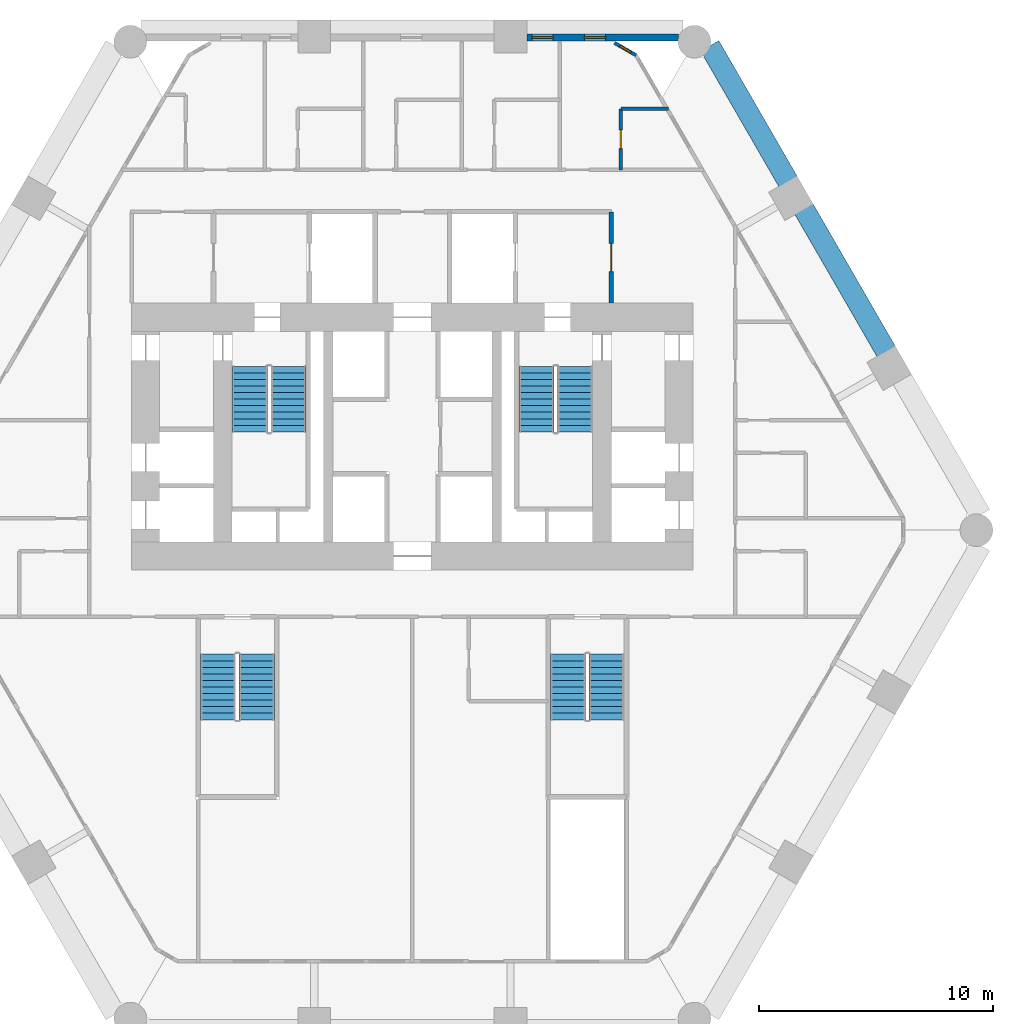
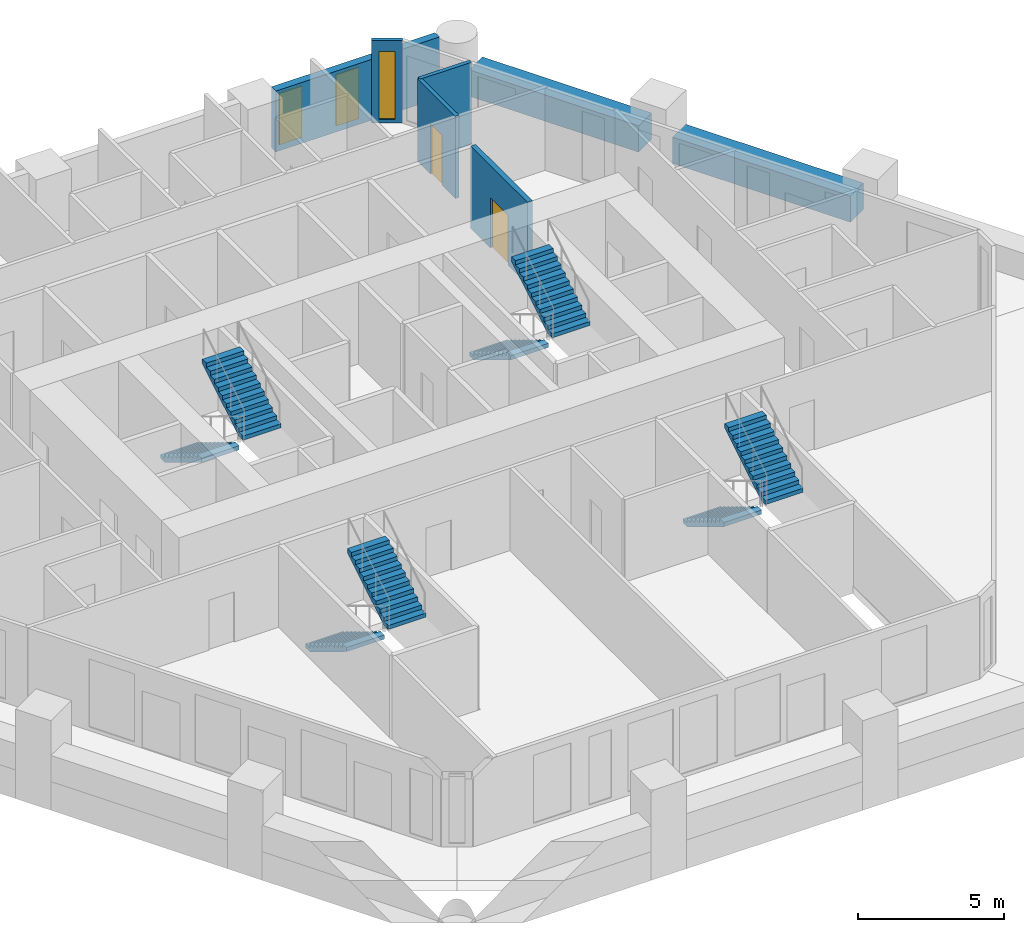
# One storey, part 7 of 8: 8 stair flights, 7 walls, 3 windows, 2 doors, 5 openings, 4 elements without a shape of their own.
"""IFC4 building model written with IfcOpenShell, lengths in metres."""

from ifc_helpers import new_model, si_unit, direction, frame, frame_2d, origin, place, context, subcontext, project, spatial, polyline, rectangle, outline, extrude, material, layer, layer_set, type_object, element, fill, aggregate, save


model = new_model("IFC4")

# Units and contexts
model_context = context("Model", 3, precision=1e-05, world=origin(), true_north=direction((0.0, 1.0)))
body_context = subcontext(model_context, "Body", "Model", "MODEL_VIEW")
ifc_project = project(units=[si_unit("LENGTHUNIT", "METRE"), si_unit("AREAUNIT", "SQUARE_METRE"), si_unit("VOLUMEUNIT", "CUBIC_METRE"), si_unit("PLANEANGLEUNIT", "RADIAN"), si_unit("MASSUNIT", "GRAM", prefix="KILO")], contexts=[model_context])

# Site, building, storey
site_placement = place(None, origin())
site = spatial("IfcSite", under=ifc_project, at=site_placement, CompositionType="ELEMENT")
building_placement = place(site_placement, origin())
building = spatial("IfcBuilding", under=site, at=building_placement, Name="Ostrander Bayou Hotel Tower", CompositionType="ELEMENT")
storey_placement = place(building_placement, frame((0.0, 0.0, 28.0)))
storey = spatial("IfcBuildingStorey", under=building, at=storey_placement, Name="L06", CompositionType="ELEMENT", Elevation=28.0)

# Wall, opening, window
ifc_material_1 = material(Name="Aluminium framed insulated wall", Category="aluminium")
ifc_layer_1 = layer(ifc_material_1, 0.14990234375)
ifc_layer_set_1 = layer_set([ifc_layer_1], Name="GW1 glass-line wall 150 mm")
wall_type_1 = type_object("IfcWallType", Name="GW1 glass-line wall 150 mm", PredefinedType="SOLIDWALL", material=ifc_layer_set_1)
wall_1_placement = place(storey_placement, frame((9.5595703125, 20.29248046875, 0.0), z_axis=(0.0, 0.0, 1.0), x_axis=(-0.866048165231, 0.499960573946, 0.0)))
wall_1 = element("IfcWall", 1, at=wall_1_placement, inside=storey, type_object=wall_type_1, Name="GW1 L06 corner 6", PredefinedType="SOLIDWALL", context=body_context, shape_type="SweptSolid", body=[
    extrude(rectangle(XDim=1.06494140625, YDim=0.14990234375, at=frame_2d((0.532470703125, 0.0))), origin(), (0.0, 0.0, 1.0), 3.449951171875),
])
opening_1_placement = place(wall_1_placement, frame((0.257568359375, 0.0, 0.14990234375)))
opening_1 = element("IfcOpeningElement", 2, at=opening_1_placement, cuts=wall_1, Name="Opening W19", PredefinedType="OPENING", context=body_context, shape_type="SweptSolid", body=[
    extrude(rectangle(XDim=0.550048828125, YDim=2.85009765625, at=frame_2d((0.27490234375, 1.425048828125))), frame((0.0, 0.074951171875, 0.0), z_axis=(0.0, -1.0, 0.0), x_axis=(1.0, 0.0, 0.0)), (0.0, 0.0, 1.0), 0.14990234375),
])
ifc_material_2 = material(Name="Aluminium and clear glass", Category="aluminium")
window_type_1 = type_object("IfcWindowType", Name="W19 corner window 550 mm", PartitioningType="SINGLE_PANEL", PredefinedType="WINDOW", material=ifc_material_2)
window_1_placement = place(opening_1_placement, origin())
window_1 = element("IfcWindow", 3, at=window_1_placement, inside=storey, type_object=window_type_1, Name="W19 L06 corner 6", OverallHeight=2.85009765625, OverallWidth=0.550048828125, PartitioningType="SINGLE_PANEL", PredefinedType="WINDOW", context=body_context, shape_type="SweptSolid", body=[
    extrude(rectangle(XDim=0.550048828125, YDim=2.85009765625, at=frame_2d((0.27490234375, 1.425048828125))), frame((0.0, 0.030029296875, 0.0), z_axis=(0.0, -1.0, 0.0), x_axis=(1.0, 0.0, 0.0)), (0.0, 0.0, 1.0), 0.06005859375),
])
fill(opening_1, window_1)

# Wall, openings, windows
ifc_material_3 = material(Name="Reconstituted stone on masonry backing", Category="masonry")
ifc_layer_2 = layer(ifc_material_3, 0.300048828125)
ifc_layer_set_2 = layer_set([ifc_layer_2], Name="NW1 north stone wall 300 mm")
wall_type_2 = type_object("IfcWallType", Name="NW1 north stone wall 300 mm", PredefinedType="SOLIDWALL", material=ifc_layer_set_2)
wall_2_placement = place(storey_placement, frame((11.376708984375, 21.050048828125, 0.0), z_axis=(0.0, 0.0, 1.0), x_axis=(-1.0, 0.0, 0.0)))
wall_2 = element("IfcWall", 4, at=wall_2_placement, inside=storey, type_object=wall_type_2, Name="NW1 L06 N-1", PredefinedType="SOLIDWALL", context=body_context, shape_type="SweptSolid", body=[
    extrude(rectangle(XDim=6.481201171875, YDim=0.300048828125, at=frame_2d((3.24072265625, 0.0))), origin(), (0.0, 0.0, 1.0), 2.550048828125),
])
opening_2_placement = place(wall_2_placement, frame((3.123779296875, 0.0, 0.14990234375)))
opening_2 = element("IfcOpeningElement", 5, at=opening_2_placement, cuts=wall_2, Name="Opening W15", PredefinedType="OPENING", context=body_context, shape_type="SweptSolid", body=[
    extrude(rectangle(XDim=0.89990234375, YDim=2.14990234375, at=frame_2d((0.449951171875, 1.074951171875))), frame((0.0, 0.14990234375, 0.0), z_axis=(0.0, -1.0, 0.0), x_axis=(1.0, 0.0, 0.0)), (0.0, 0.0, 1.0), 0.300048828125),
])
opening_3_placement = place(wall_2_placement, frame((5.376708984375, 0.0, 0.14990234375)))
opening_3 = element("IfcOpeningElement", 6, at=opening_3_placement, cuts=wall_2, Name="Opening W15", PredefinedType="OPENING", context=body_context, shape_type="SweptSolid", body=[
    extrude(rectangle(XDim=0.89990234375, YDim=2.14990234375, at=frame_2d((0.449951171875, 1.074951171875))), frame((0.0, 0.14990234375, 0.0), z_axis=(0.0, -1.0, 0.0), x_axis=(1.0, 0.0, 0.0)), (0.0, 0.0, 1.0), 0.300048828125),
])
ifc_material_4 = material(Name="Aluminium and clear glass", Category="aluminium")
window_type_2 = type_object("IfcWindowType", Name="W15 window 900 mm, zone 1", PartitioningType="SINGLE_PANEL", PredefinedType="WINDOW", material=ifc_material_4)
window_2_placement = place(opening_2_placement, origin())
window_2 = element("IfcWindow", 7, at=window_2_placement, inside=storey, type_object=window_type_2, Name="W15 L06 north N-1", OverallHeight=2.14990234375, OverallWidth=0.89990234375, PartitioningType="SINGLE_PANEL", PredefinedType="WINDOW", context=body_context, shape_type="SweptSolid", body=[
    extrude(rectangle(XDim=0.89990234375, YDim=2.14990234375, at=frame_2d((0.449951171875, 1.074951171875))), frame((0.0, 0.030029296875, 0.0), z_axis=(0.0, -1.0, 0.0), x_axis=(1.0, 0.0, 0.0)), (0.0, 0.0, 1.0), 0.06005859375),
])
fill(opening_2, window_2)
window_3_placement = place(opening_3_placement, origin())
window_3 = element("IfcWindow", 8, at=window_3_placement, inside=storey, type_object=window_type_2, Name="W15 L06 north N-1-2", OverallHeight=2.14990234375, OverallWidth=0.89990234375, PartitioningType="SINGLE_PANEL", PredefinedType="WINDOW", context=body_context, shape_type="SweptSolid", body=[
    extrude(rectangle(XDim=0.89990234375, YDim=2.14990234375, at=frame_2d((0.449951171875, 1.074951171875))), frame((0.0, 0.030029296875, 0.0), z_axis=(0.0, -1.0, 0.0), x_axis=(1.0, 0.0, 0.0)), (0.0, 0.0, 1.0), 0.06005859375),
])
fill(opening_3, window_3)

# Walls
ifc_material_5 = material(Name="Concrete f'c 40 MPa", Category="concrete")
ifc_layer_3 = layer(ifc_material_5, 0.89990234375)
ifc_layer_set_3 = layer_set([ifc_layer_3], Name="PA1 stone-faced parapet 900 mm")
wall_type_3 = type_object("IfcWallType", Name="PA1 stone-faced parapet 900 mm", PredefinedType="PARAPET", material=ifc_layer_set_3)
wall_3_placement = place(storey_placement, frame((20.252197265625, 7.621826171875, 0.0), z_axis=(0.0, 0.0, 1.0), x_axis=(-0.499997206141, 0.866027016814, 0.0)))
element("IfcWall", 9, at=wall_3_placement, inside=storey, type_object=wall_type_3, Name="PA1 L06 NE-2", PredefinedType="PARAPET", context=body_context, shape_type="SweptSolid", body=[
    extrude(rectangle(XDim=7.05078125, YDim=0.89990234375, at=frame_2d((3.525390625, 0.0))), origin(), (0.0, 0.0, 1.0), 1.10009765625),
])
wall_4_placement = place(storey_placement, frame((16.056884765625, 14.888671875, 0.0), z_axis=(0.0, 0.0, 1.0), x_axis=(-0.500005133765, 0.866022439784, 0.0)))
element("IfcWall", 10, at=wall_4_placement, inside=storey, type_object=wall_type_3, Name="PA1 L06 NE-3", PredefinedType="PARAPET", context=body_context, shape_type="SweptSolid", body=[
    extrude(rectangle(XDim=6.70361328125, YDim=0.89990234375, at=frame_2d((3.351806640625, 0.0))), origin(), (0.0, 0.0, 1.0), 1.10009765625),
])

# Wall, opening, door
ifc_material_6 = material(Name="Masonry block", Category="masonry")
ifc_layer_4 = layer(ifc_material_6, 0.199951171875)
ifc_layer_set_4 = layer_set([ifc_layer_4], Name="PT5 stair enclosure wall 200 mm masonry, 2 hour")
wall_type_4 = type_object("IfcWallType", Name="PT5 stair enclosure wall 200 mm masonry, 2 hour", PredefinedType="PARTITIONING", material=ifc_layer_set_4)
wall_5_placement = place(storey_placement, frame((8.5, 9.699951171875, 0.0), z_axis=(0.0, 0.0, 1.0), x_axis=(0.0, 1.0, 0.0)))
wall_5 = element("IfcWall", 11, at=wall_5_placement, inside=storey, type_object=wall_type_4, Name="cs:L06:027", PredefinedType="PARTITIONING", context=body_context, shape_type="SweptSolid", body=[
    extrude(rectangle(XDim=3.900146484375, YDim=0.199951171875, at=frame_2d((1.9501953125, 0.0))), origin(), (0.0, 0.0, 1.0), 3.449951171875),
])
opening_4_placement = place(wall_5_placement, frame((1.35009765625, 0.0, 0.0)))
opening_4 = element("IfcOpeningElement", 12, at=opening_4_placement, cuts=wall_5, Name="Opening T06-012", PredefinedType="OPENING", context=body_context, shape_type="SweptSolid", body=[
    extrude(rectangle(XDim=1.199951171875, YDim=2.10009765625, at=frame_2d((0.60009765625, 1.050048828125))), frame((0.0, 0.10009765625, 0.0), z_axis=(0.0, -1.0, 0.0), x_axis=(1.0, 0.0, 0.0)), (0.0, 0.0, 1.0), 0.199951171875),
])
ifc_material_7 = material(Name="Timber door leaf", Category="wood")
door_type_1 = type_object("IfcDoorType", Name="D7 lobby door 1200 x 2100 mm, 1 hour", OperationType="SINGLE_SWING_LEFT", PredefinedType="DOOR", material=ifc_material_7)
door_1_placement = place(opening_4_placement, origin())
door_1 = element("IfcDoor", 13, at=door_1_placement, inside=storey, type_object=door_type_1, Name="dr:L06:012", OperationType="SINGLE_SWING_LEFT", OverallHeight=2.10009765625, OverallWidth=1.199951171875, PredefinedType="DOOR", context=body_context, shape_type="SweptSolid", body=[
    extrude(rectangle(XDim=1.199951171875, YDim=2.10009765625, at=frame_2d((0.60009765625, 1.050048828125))), frame((0.0, 0.02490234375, 0.0), z_axis=(0.0, -1.0, 0.0), x_axis=(1.0, 0.0, 0.0)), (0.0, 0.0, 1.0), 0.050048828125),
])
fill(opening_4, door_1)

# Wall
ifc_material_8 = material(Name="Gypsum board partition", Category="finish")
ifc_layer_5 = layer(ifc_material_8, 0.14990234375)
ifc_layer_set_5 = layer_set([ifc_layer_5], Name="PT8 service band wall 150 mm, 1 hour")
wall_type_5 = type_object("IfcWallType", Name="PT8 service band wall 150 mm, 1 hour", PredefinedType="PARTITIONING", material=ifc_layer_set_5)
wall_6_placement = place(storey_placement, frame((8.905029296875, 18.0, 0.0), z_axis=(0.0, 0.0, 1.0), x_axis=(1.0, 0.0, 0.0)))
element("IfcWall", 14, at=wall_6_placement, inside=storey, type_object=wall_type_5, Name="gw:L06:016", PredefinedType="PARTITIONING", context=body_context, shape_type="SweptSolid", body=[
    extrude(rectangle(XDim=2.030029296875, YDim=0.14990234375, at=frame_2d((1.01513671875, 0.0))), origin(), (0.0, 0.0, 1.0), 3.449951171875),
])

# Wall, opening, door
wall_7_placement = place(storey_placement, frame((8.905029296875, 15.39990234375, 0.0), z_axis=(0.0, 0.0, 1.0), x_axis=(0.0, 1.0, 0.0)))
wall_7 = element("IfcWall", 15, at=wall_7_placement, inside=storey, type_object=wall_type_5, Name="gw:L06:024", PredefinedType="PARTITIONING", context=body_context, shape_type="SweptSolid", body=[
    extrude(rectangle(XDim=2.60009765625, YDim=0.14990234375, at=frame_2d((1.300048828125, 0.0))), origin(), (0.0, 0.0, 1.0), 3.449951171875),
])
opening_5_placement = place(wall_7_placement, frame((0.89990234375, 0.0, 0.0)))
opening_5 = element("IfcOpeningElement", 16, at=opening_5_placement, cuts=wall_7, Name="Opening T06-424", PredefinedType="OPENING", context=body_context, shape_type="SweptSolid", body=[
    extrude(rectangle(XDim=0.800048828125, YDim=2.10009765625, at=frame_2d((0.39990234375, 1.050048828125))), frame((0.0, 0.074951171875, 0.0), z_axis=(0.0, -1.0, 0.0), x_axis=(1.0, 0.0, 0.0)), (0.0, 0.0, 1.0), 0.14990234375),
])
ifc_material_9 = material(Name="Timber door leaf", Category="wood")
door_type_2 = type_object("IfcDoorType", Name="D2 bathroom door 800 x 2100 mm", OperationType="SINGLE_SWING_LEFT", PredefinedType="DOOR", material=ifc_material_9)
door_2_placement = place(opening_5_placement, origin())
door_2 = element("IfcDoor", 17, at=door_2_placement, inside=storey, type_object=door_type_2, Name="dr:L06:424", OperationType="SINGLE_SWING_LEFT", OverallHeight=2.10009765625, OverallWidth=0.800048828125, PredefinedType="DOOR", context=body_context, shape_type="SweptSolid", body=[
    extrude(rectangle(XDim=0.800048828125, YDim=2.10009765625, at=frame_2d((0.39990234375, 1.050048828125))), frame((0.0, 0.02490234375, 0.0), z_axis=(0.0, -1.0, 0.0), x_axis=(1.0, 0.0, 0.0)), (0.0, 0.0, 1.0), 0.050048828125),
])
fill(opening_5, door_2)

# Stair, stair flights
ifc_material_10 = material(Name="Concrete f'c 45 MPa", Category="concrete")
stair_type = type_object("IfcStairType", Name="ST1 exit stair 1500 mm f'c 45 MPa", PredefinedType="HALF_TURN_STAIR", material=ifc_material_10)
stair_1_placement = place(storey_placement, origin())
stair_1 = element("IfcStair", 18, at=stair_1_placement, inside=storey, type_object=stair_type, Name="L06 exit stair A", PredefinedType="HALF_TURN_STAIR")
ifc_material_11 = material(Name="Concrete f'c 45 MPa", Category="concrete")
stair_flight_type = type_object("IfcStairFlightType", Name="SF1 stair flight 1500 mm f'c 45 MPa", PredefinedType="STRAIGHT", material=ifc_material_11)
stair_flight_1_placement = place(storey_placement, frame((-6.949951171875, 7.0, 0.0), z_axis=(0.0, 0.0, 1.0), x_axis=(0.0, -1.0, 0.0)))
stair_flight_1 = element("IfcStairFlight", 19, at=stair_flight_1_placement, type_object=stair_flight_type, Name="STA flight 1", NumberOfRisers=11, NumberOfTreads=10, PredefinedType="STRAIGHT", RiserHeight=0.170454545, TreadLength=0.28, context=body_context, shape_type="SweptSolid", body=[
    extrude(outline(polyline([(0.0, 0.0), (0.0, 0.17041015625), (0.280029296875, 0.17041015625), (0.280029296875, 0.3408203125), (0.56005859375, 0.3408203125), (0.56005859375, 0.511474609375), (0.840087890625, 0.511474609375), (0.840087890625, 0.681884765625), (1.1201171875, 0.681884765625), (1.1201171875, 0.852294921875), (1.39990234375, 0.852294921875), (1.39990234375, 1.022705078125), (1.679931640625, 1.022705078125), (1.679931640625, 1.193115234375), (1.9599609375, 1.193115234375), (1.9599609375, 1.363525390625), (2.239990234375, 1.363525390625), (2.239990234375, 1.5341796875), (2.52001953125, 1.5341796875), (2.52001953125, 1.70458984375), (2.800048828125, 1.70458984375), (2.800048828125, 1.875), (2.800048828125, 1.529052734375), (0.288330078125, 0.0), (0.0, 0.0)])), frame((0.0, 0.75, 0.0), z_axis=(0.0, -1.0, 0.0), x_axis=(1.0, 0.0, 0.0)), (0.0, 0.0, 1.0), 1.5),
])
stair_flight_2_placement = place(storey_placement, frame((-5.300048828125, 4.199951171875, 1.875), z_axis=(0.0, 0.0, 1.0), x_axis=(0.0, 1.0, 0.0)))
stair_flight_2 = element("IfcStairFlight", 20, at=stair_flight_2_placement, type_object=stair_flight_type, Name="STA flight 2", NumberOfRisers=11, NumberOfTreads=10, PredefinedType="STRAIGHT", RiserHeight=0.170454545, TreadLength=0.28, context=body_context, shape_type="SweptSolid", body=[
    extrude(outline(polyline([(0.0, 0.0), (0.0, 0.17041015625), (0.280029296875, 0.17041015625), (0.280029296875, 0.3408203125), (0.56005859375, 0.3408203125), (0.56005859375, 0.511474609375), (0.840087890625, 0.511474609375), (0.840087890625, 0.681884765625), (1.1201171875, 0.681884765625), (1.1201171875, 0.852294921875), (1.39990234375, 0.852294921875), (1.39990234375, 1.022705078125), (1.679931640625, 1.022705078125), (1.679931640625, 1.193115234375), (1.9599609375, 1.193115234375), (1.9599609375, 1.363525390625), (2.239990234375, 1.363525390625), (2.239990234375, 1.5341796875), (2.52001953125, 1.5341796875), (2.52001953125, 1.70458984375), (2.800048828125, 1.70458984375), (2.800048828125, 1.875), (2.800048828125, 1.529052734375), (0.288330078125, 0.0), (0.0, 0.0)])), frame((0.0, 0.75, 0.0), z_axis=(0.0, -1.0, 0.0), x_axis=(1.0, 0.0, 0.0)), (0.0, 0.0, 1.0), 1.5),
])
aggregate(stair_1, [stair_flight_1, stair_flight_2])

stair_2_placement = place(storey_placement, origin())
stair_2 = element("IfcStair", 21, at=stair_2_placement, inside=storey, type_object=stair_type, Name="L06 exit stair B", PredefinedType="HALF_TURN_STAIR")
stair_flight_3_placement = place(storey_placement, frame((5.300048828125, 7.0, 0.0), z_axis=(0.0, 0.0, 1.0), x_axis=(0.0, -1.0, 0.0)))
stair_flight_3 = element("IfcStairFlight", 22, at=stair_flight_3_placement, type_object=stair_flight_type, Name="STB flight 1", NumberOfRisers=11, NumberOfTreads=10, PredefinedType="STRAIGHT", RiserHeight=0.170454545, TreadLength=0.28, context=body_context, shape_type="SweptSolid", body=[
    extrude(outline(polyline([(0.0, 0.0), (0.0, 0.17041015625), (0.280029296875, 0.17041015625), (0.280029296875, 0.3408203125), (0.56005859375, 0.3408203125), (0.56005859375, 0.511474609375), (0.840087890625, 0.511474609375), (0.840087890625, 0.681884765625), (1.1201171875, 0.681884765625), (1.1201171875, 0.852294921875), (1.39990234375, 0.852294921875), (1.39990234375, 1.022705078125), (1.679931640625, 1.022705078125), (1.679931640625, 1.193115234375), (1.9599609375, 1.193115234375), (1.9599609375, 1.363525390625), (2.239990234375, 1.363525390625), (2.239990234375, 1.5341796875), (2.52001953125, 1.5341796875), (2.52001953125, 1.70458984375), (2.800048828125, 1.70458984375), (2.800048828125, 1.875), (2.800048828125, 1.529052734375), (0.288330078125, 0.0), (0.0, 0.0)])), frame((0.0, 0.75, 0.0), z_axis=(0.0, -1.0, 0.0), x_axis=(1.0, 0.0, 0.0)), (0.0, 0.0, 1.0), 1.5),
])
stair_flight_4_placement = place(storey_placement, frame((6.949951171875, 4.199951171875, 1.875), z_axis=(0.0, 0.0, 1.0), x_axis=(0.0, 1.0, 0.0)))
stair_flight_4 = element("IfcStairFlight", 23, at=stair_flight_4_placement, type_object=stair_flight_type, Name="STB flight 2", NumberOfRisers=11, NumberOfTreads=10, PredefinedType="STRAIGHT", RiserHeight=0.170454545, TreadLength=0.28, context=body_context, shape_type="SweptSolid", body=[
    extrude(outline(polyline([(0.0, 0.0), (0.0, 0.17041015625), (0.280029296875, 0.17041015625), (0.280029296875, 0.3408203125), (0.56005859375, 0.3408203125), (0.56005859375, 0.511474609375), (0.840087890625, 0.511474609375), (0.840087890625, 0.681884765625), (1.1201171875, 0.681884765625), (1.1201171875, 0.852294921875), (1.39990234375, 0.852294921875), (1.39990234375, 1.022705078125), (1.679931640625, 1.022705078125), (1.679931640625, 1.193115234375), (1.9599609375, 1.193115234375), (1.9599609375, 1.363525390625), (2.239990234375, 1.363525390625), (2.239990234375, 1.5341796875), (2.52001953125, 1.5341796875), (2.52001953125, 1.70458984375), (2.800048828125, 1.70458984375), (2.800048828125, 1.875), (2.800048828125, 1.529052734375), (0.288330078125, 0.0), (0.0, 0.0)])), frame((0.0, 0.75, 0.0), z_axis=(0.0, -1.0, 0.0), x_axis=(1.0, 0.0, 0.0)), (0.0, 0.0, 1.0), 1.5),
])
aggregate(stair_2, [stair_flight_3, stair_flight_4])

stair_3_placement = place(storey_placement, origin())
stair_3 = element("IfcStair", 24, at=stair_3_placement, inside=storey, type_object=stair_type, Name="L06 exit stair C", PredefinedType="HALF_TURN_STAIR")
stair_flight_5_placement = place(storey_placement, frame((6.64990234375, -5.300048828125, 0.0), z_axis=(0.0, 0.0, 1.0), x_axis=(0.0, -1.0, 0.0)))
stair_flight_5 = element("IfcStairFlight", 25, at=stair_flight_5_placement, type_object=stair_flight_type, Name="STC flight 1", NumberOfRisers=11, NumberOfTreads=10, PredefinedType="STRAIGHT", RiserHeight=0.170454545, TreadLength=0.28, context=body_context, shape_type="SweptSolid", body=[
    extrude(outline(polyline([(0.0, 0.0), (0.0, 0.17041015625), (0.280029296875, 0.17041015625), (0.280029296875, 0.3408203125), (0.56005859375, 0.3408203125), (0.56005859375, 0.511474609375), (0.840087890625, 0.511474609375), (0.840087890625, 0.681884765625), (1.1201171875, 0.681884765625), (1.1201171875, 0.852294921875), (1.39990234375, 0.852294921875), (1.39990234375, 1.022705078125), (1.679931640625, 1.022705078125), (1.679931640625, 1.193115234375), (1.9599609375, 1.193115234375), (1.9599609375, 1.363525390625), (2.239990234375, 1.363525390625), (2.239990234375, 1.5341796875), (2.52001953125, 1.5341796875), (2.52001953125, 1.70458984375), (2.800048828125, 1.70458984375), (2.800048828125, 1.875), (2.800048828125, 1.529052734375), (0.288330078125, 0.0), (0.0, 0.0)])), frame((0.0, 0.75, 0.0), z_axis=(0.0, -1.0, 0.0), x_axis=(1.0, 0.0, 0.0)), (0.0, 0.0, 1.0), 1.5),
])
stair_flight_6_placement = place(storey_placement, frame((8.300048828125, -8.10009765625, 1.875), z_axis=(0.0, 0.0, 1.0), x_axis=(0.0, 1.0, 0.0)))
stair_flight_6 = element("IfcStairFlight", 26, at=stair_flight_6_placement, type_object=stair_flight_type, Name="STC flight 2", NumberOfRisers=11, NumberOfTreads=10, PredefinedType="STRAIGHT", RiserHeight=0.170454545, TreadLength=0.28, context=body_context, shape_type="SweptSolid", body=[
    extrude(outline(polyline([(0.0, 0.0), (0.0, 0.17041015625), (0.280029296875, 0.17041015625), (0.280029296875, 0.3408203125), (0.56005859375, 0.3408203125), (0.56005859375, 0.511474609375), (0.840087890625, 0.511474609375), (0.840087890625, 0.681884765625), (1.1201171875, 0.681884765625), (1.1201171875, 0.852294921875), (1.39990234375, 0.852294921875), (1.39990234375, 1.022705078125), (1.679931640625, 1.022705078125), (1.679931640625, 1.193115234375), (1.9599609375, 1.193115234375), (1.9599609375, 1.363525390625), (2.239990234375, 1.363525390625), (2.239990234375, 1.5341796875), (2.52001953125, 1.5341796875), (2.52001953125, 1.70458984375), (2.800048828125, 1.70458984375), (2.800048828125, 1.875), (2.800048828125, 1.529052734375), (0.288330078125, 0.0), (0.0, 0.0)])), frame((0.0, 0.75, 0.0), z_axis=(0.0, -1.0, 0.0), x_axis=(1.0, 0.0, 0.0)), (0.0, 0.0, 1.0), 1.5),
])
aggregate(stair_3, [stair_flight_5, stair_flight_6])

stair_4_placement = place(storey_placement, origin())
stair_4 = element("IfcStair", 27, at=stair_4_placement, inside=storey, type_object=stair_type, Name="L06 exit stair D", PredefinedType="HALF_TURN_STAIR")
stair_flight_7_placement = place(storey_placement, frame((-8.300048828125, -5.300048828125, 0.0), z_axis=(0.0, 0.0, 1.0), x_axis=(0.0, -1.0, 0.0)))
stair_flight_7 = element("IfcStairFlight", 28, at=stair_flight_7_placement, type_object=stair_flight_type, Name="STD flight 1", NumberOfRisers=11, NumberOfTreads=10, PredefinedType="STRAIGHT", RiserHeight=0.170454545, TreadLength=0.28, context=body_context, shape_type="SweptSolid", body=[
    extrude(outline(polyline([(0.0, 0.0), (0.0, 0.17041015625), (0.280029296875, 0.17041015625), (0.280029296875, 0.3408203125), (0.56005859375, 0.3408203125), (0.56005859375, 0.511474609375), (0.840087890625, 0.511474609375), (0.840087890625, 0.681884765625), (1.1201171875, 0.681884765625), (1.1201171875, 0.852294921875), (1.39990234375, 0.852294921875), (1.39990234375, 1.022705078125), (1.679931640625, 1.022705078125), (1.679931640625, 1.193115234375), (1.9599609375, 1.193115234375), (1.9599609375, 1.363525390625), (2.239990234375, 1.363525390625), (2.239990234375, 1.5341796875), (2.52001953125, 1.5341796875), (2.52001953125, 1.70458984375), (2.800048828125, 1.70458984375), (2.800048828125, 1.875), (2.800048828125, 1.529052734375), (0.288330078125, 0.0), (0.0, 0.0)])), frame((0.0, 0.75, 0.0), z_axis=(0.0, -1.0, 0.0), x_axis=(1.0, 0.0, 0.0)), (0.0, 0.0, 1.0), 1.5),
])
stair_flight_8_placement = place(storey_placement, frame((-6.64990234375, -8.10009765625, 1.875), z_axis=(0.0, 0.0, 1.0), x_axis=(0.0, 1.0, 0.0)))
stair_flight_8 = element("IfcStairFlight", 29, at=stair_flight_8_placement, type_object=stair_flight_type, Name="STD flight 2", NumberOfRisers=11, NumberOfTreads=10, PredefinedType="STRAIGHT", RiserHeight=0.170454545, TreadLength=0.28, context=body_context, shape_type="SweptSolid", body=[
    extrude(outline(polyline([(0.0, 0.0), (0.0, 0.17041015625), (0.280029296875, 0.17041015625), (0.280029296875, 0.3408203125), (0.56005859375, 0.3408203125), (0.56005859375, 0.511474609375), (0.840087890625, 0.511474609375), (0.840087890625, 0.681884765625), (1.1201171875, 0.681884765625), (1.1201171875, 0.852294921875), (1.39990234375, 0.852294921875), (1.39990234375, 1.022705078125), (1.679931640625, 1.022705078125), (1.679931640625, 1.193115234375), (1.9599609375, 1.193115234375), (1.9599609375, 1.363525390625), (2.239990234375, 1.363525390625), (2.239990234375, 1.5341796875), (2.52001953125, 1.5341796875), (2.52001953125, 1.70458984375), (2.800048828125, 1.70458984375), (2.800048828125, 1.875), (2.800048828125, 1.529052734375), (0.288330078125, 0.0), (0.0, 0.0)])), frame((0.0, 0.75, 0.0), z_axis=(0.0, -1.0, 0.0), x_axis=(1.0, 0.0, 0.0)), (0.0, 0.0, 1.0), 1.5),
])
aggregate(stair_4, [stair_flight_7, stair_flight_8])

save(model, "model.ifc")
